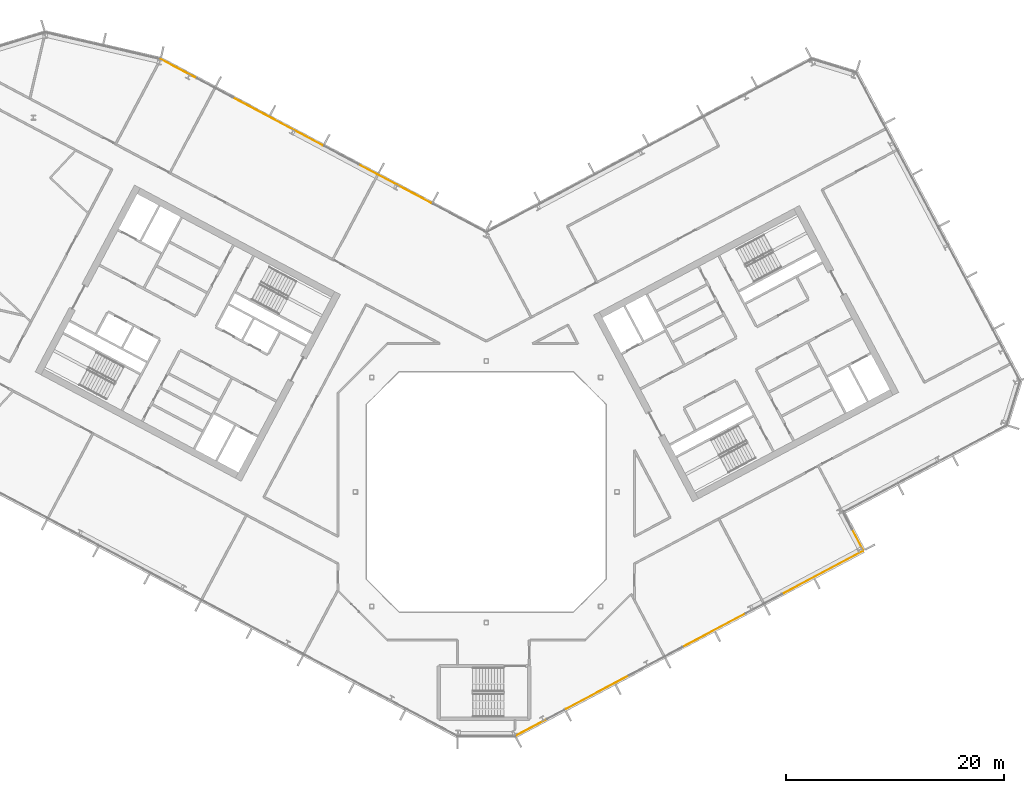
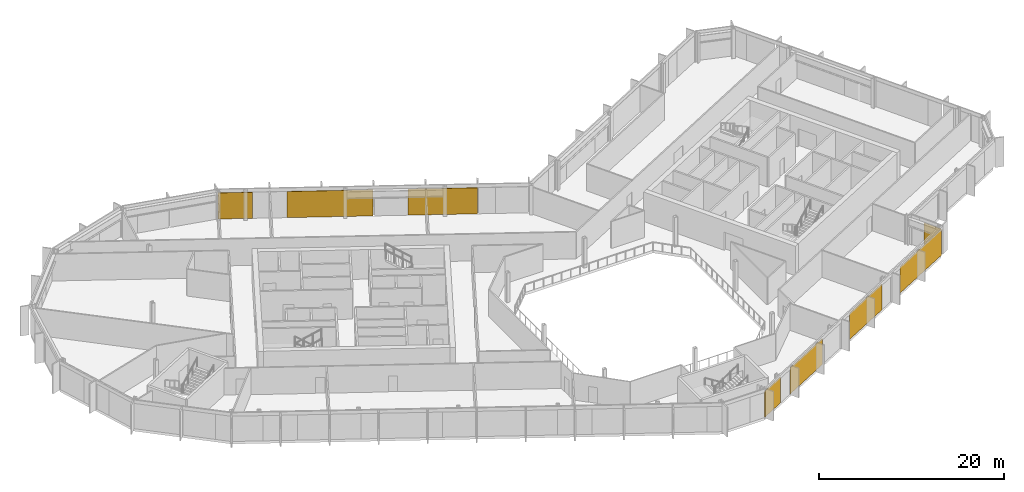
# One storey, part 24 of 27: 8 coverings, 3 elements without a shape of their own.
"""IFC4 building model written with IfcOpenShell, lengths in metres."""

from ifc_helpers import new_model, si_unit, direction, frame, origin, origin_2d, place, context, subcontext, project, spatial, rectangle, extrude, material, layer, layer_set, type_object, element, aggregate, save


model = new_model("IFC4")

# Units and contexts
model_context = context("Model", 3, precision=1e-05, world=origin(), true_north=direction((0.0, 1.0)))
body_context = subcontext(model_context, "Body", "Model", "MODEL_VIEW")
ifc_project = project(units=[si_unit("LENGTHUNIT", "METRE"), si_unit("AREAUNIT", "SQUARE_METRE"), si_unit("VOLUMEUNIT", "CUBIC_METRE"), si_unit("PLANEANGLEUNIT", "RADIAN"), si_unit("MASSUNIT", "GRAM", prefix="KILO")], contexts=[model_context])

# Site, building, storey
site_placement = place(None, origin())
site = spatial("IfcSite", under=ifc_project, at=site_placement, CompositionType="ELEMENT")
building_placement = place(site_placement, origin())
building = spatial("IfcBuilding", under=site, at=building_placement, Name="Cormorant Relay Tower", CompositionType="ELEMENT")
storey_placement = place(building_placement, frame((0.0, 0.0, 224.699951171875)))
storey = spatial("IfcBuildingStorey", under=building, at=storey_placement, Name="L49", CompositionType="ELEMENT", Elevation=224.699951171875)

# Curtain wall, coverings
ifc_material_1 = material(Name="Aluminium 6063-T6 anodised bronze", Category="aluminium")
ifc_layer_1 = layer(ifc_material_1, 0.199951171875)
ifc_layer_set_1 = layer_set([ifc_layer_1], Name="CW1 unitised bronze curtain wall with vertical fins")
curtain_wall_type = type_object("IfcCurtainWallType", Name="CW1 unitised bronze curtain wall with vertical fins", PredefinedType="NOTDEFINED", material=ifc_layer_set_1)
curtain_wall_1_placement = place(storey_placement, origin())
curtain_wall_1 = element("IfcCurtainWall", 1, at=curtain_wall_1_placement, inside=storey, type_object=curtain_wall_type, Name="CW1 curtain wall 2", PredefinedType="NOTDEFINED")
ifc_material_2 = material(Name="Pale bronze anodised aluminium insulated panel", Category="aluminium")
ifc_layer_2 = layer(ifc_material_2, 0.0400390625)
ifc_layer_set_2 = layer_set([ifc_layer_2], Name="CW1 pale bronze insulated panel 40")
covering_type = type_object("IfcCoveringType", Name="CW1 pale bronze insulated panel 40", PredefinedType="CLADDING", material=ifc_layer_set_2)
covering_1_placement = place(storey_placement, frame((4.14453125, -21.60302734375, 0.0), z_axis=(0.0, 0.0, 1.0), x_axis=(0.882947592859, 0.469471562786, 0.0)))
covering_1 = element("IfcCovering", 2, at=covering_1_placement, type_object=covering_type, Name="CW1 panel S00", PredefinedType="CLADDING", context=body_context, shape_type="SweptSolid", body=[
    extrude(rectangle(XDim=3.216552734375, YDim=0.0400390625, at=origin_2d()), origin(), (0.0, 0.0, 1.0), 3.449951171875),
])
covering_2_placement = place(storey_placement, frame((10.1923828125, -18.38720703125, 0.0), z_axis=(0.0, 0.0, 1.0), x_axis=(0.882947592859, 0.469471562786, 0.0)))
covering_2 = element("IfcCovering", 3, at=covering_2_placement, type_object=covering_type, Name="CW1 panel S02", PredefinedType="CLADDING", context=body_context, shape_type="SweptSolid", body=[
    extrude(rectangle(XDim=6.5830078125, YDim=0.0400390625, at=origin_2d()), origin(), (0.0, 0.0, 1.0), 3.449951171875),
])
covering_3_placement = place(storey_placement, frame((20.905517578125, -12.69091796875, 0.0), z_axis=(0.0, 0.0, 1.0), x_axis=(0.882947592859, 0.469471562786, 0.0)))
covering_3 = element("IfcCovering", 4, at=covering_3_placement, type_object=covering_type, Name="CW1 panel S05", PredefinedType="CLADDING", context=body_context, shape_type="SweptSolid", body=[
    extrude(rectangle(XDim=6.5830078125, YDim=0.0400390625, at=origin_2d()), origin(), (0.0, 0.0, 1.0), 3.449951171875),
])
covering_4_placement = place(storey_placement, frame((30.856689453125, -7.39990234375, 0.0), z_axis=(0.0, 0.0, 1.0), x_axis=(0.882947592859, 0.469471562786, 0.0)))
covering_4 = element("IfcCovering", 5, at=covering_4_placement, type_object=covering_type, Name="CW1 panel S08", PredefinedType="CLADDING", context=body_context, shape_type="SweptSolid", body=[
    extrude(rectangle(XDim=8.4580078125, YDim=0.0400390625, at=origin_2d()), origin(), (0.0, 0.0, 1.0), 3.449951171875),
])
aggregate(curtain_wall_1, [covering_1, covering_2, covering_3, covering_4])

# Curtain wall, covering
curtain_wall_2_placement = place(storey_placement, origin())
curtain_wall_2 = element("IfcCurtainWall", 6, at=curtain_wall_2_placement, inside=storey, type_object=curtain_wall_type, Name="CW1 curtain wall 3", PredefinedType="NOTDEFINED")
covering_5_placement = place(storey_placement, frame((34.065185546875, -4.383056640625, 0.0), z_axis=(0.0, 0.0, 1.0), x_axis=(-0.469471562786, 0.882947592859, 0.0)))
covering_5 = element("IfcCovering", 7, at=covering_5_placement, type_object=covering_type, Name="CW1 panel S00", PredefinedType="CLADDING", context=body_context, shape_type="SweptSolid", body=[
    extrude(rectangle(XDim=2.125, YDim=0.0400390625, at=origin_2d()), origin(), (0.0, 0.0, 1.0), 3.449951171875),
])
aggregate(curtain_wall_2, [covering_5])

# Curtain wall, coverings
curtain_wall_3_placement = place(storey_placement, origin())
curtain_wall_3 = element("IfcCurtainWall", 8, at=curtain_wall_3_placement, inside=storey, type_object=curtain_wall_type, Name="CW1 curtain wall 9", PredefinedType="NOTDEFINED")
covering_6_placement = place(storey_placement, frame((-8.359130859375, 28.251220703125, 0.0), z_axis=(0.0, 0.0, 1.0), x_axis=(-0.882947592859, 0.469471562786, 0.0)))
covering_6 = element("IfcCovering", 9, at=covering_6_placement, type_object=covering_type, Name="CW1 panel S02", PredefinedType="CLADDING", context=body_context, shape_type="SweptSolid", body=[
    extrude(rectangle(XDim=7.528076171875, YDim=0.0400390625, at=origin_2d()), origin(), (0.0, 0.0, 1.0), 3.449951171875),
])
covering_7_placement = place(storey_placement, frame((-19.11181640625, 33.968505859375, 0.0), z_axis=(0.0, 0.0, 1.0), x_axis=(-0.882947592859, 0.469471562786, 0.0)))
covering_7 = element("IfcCovering", 10, at=covering_7_placement, type_object=covering_type, Name="CW1 panel S04", PredefinedType="CLADDING", context=body_context, shape_type="SweptSolid", body=[
    extrude(rectangle(XDim=9.327880859375, YDim=0.0400390625, at=origin_2d()), origin(), (0.0, 0.0, 1.0), 3.449951171875),
])
covering_8_placement = place(storey_placement, frame((-28.20263671875, 38.80224609375, 0.0), z_axis=(0.0, 0.0, 1.0), x_axis=(-0.882947592859, 0.469471562786, 0.0)))
covering_8 = element("IfcCovering", 11, at=covering_8_placement, type_object=covering_type, Name="CW1 panel S07", PredefinedType="CLADDING", context=body_context, shape_type="SweptSolid", body=[
    extrude(rectangle(XDim=3.763916015625, YDim=0.0400390625, at=origin_2d()), origin(), (0.0, 0.0, 1.0), 3.449951171875),
])
aggregate(curtain_wall_3, [covering_6, covering_7, covering_8])

save(model, "model.ifc")
